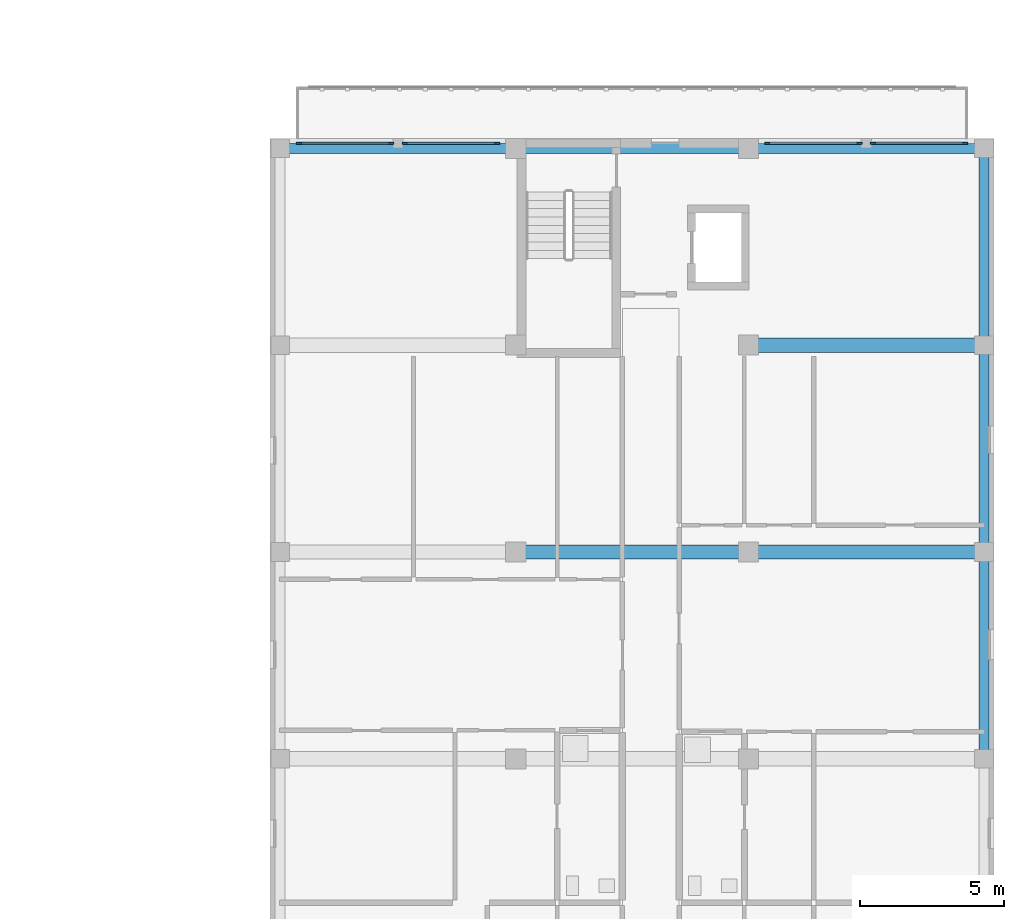
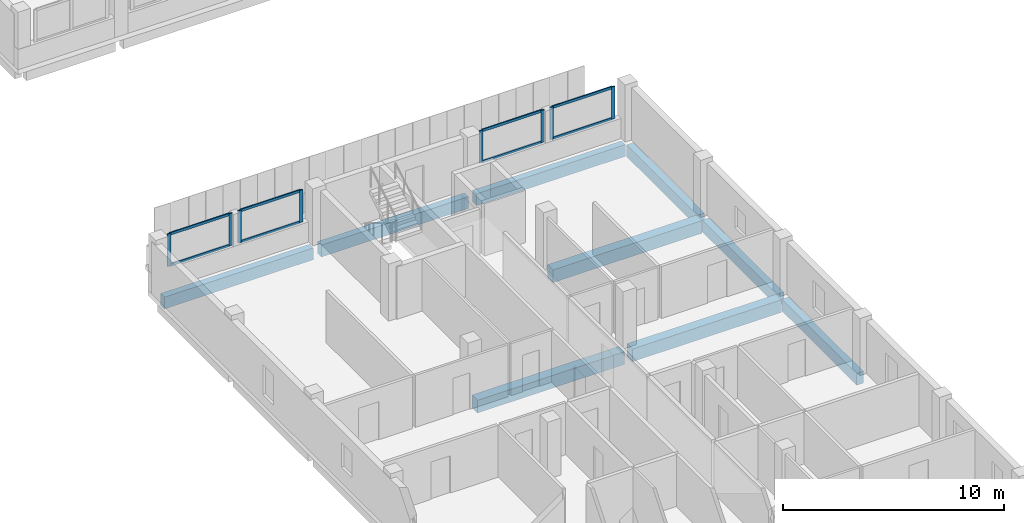
# One storey, part 15 of 51: 16 members, 9 beams, 4 elements without a shape of their own.
"""IFC4 building model written with IfcOpenShell, lengths in metres."""

from ifc_helpers import new_model, si_unit, derived_unit, direction, frame, origin, origin_2d, place, context, subcontext, project, spatial, rectangle, extrude, material, layer, layer_set, material_profile, profile_set, type_object, element, aggregate, save


model = new_model("IFC4")

# Units and contexts
model_context = context("Model", 3, precision=1e-05, world=origin(), true_north=direction((0.0, 1.0)))
body_context = subcontext(model_context, "Body", "Model", "MODEL_VIEW")
ifc_project = project(units=[si_unit("LENGTHUNIT", "METRE"), si_unit("AREAUNIT", "SQUARE_METRE"), si_unit("VOLUMEUNIT", "CUBIC_METRE"), si_unit("PLANEANGLEUNIT", "RADIAN"), si_unit("MASSUNIT", "GRAM", prefix="KILO"), derived_unit("THERMALTRANSMITTANCEUNIT", [(si_unit("MASSUNIT", "GRAM", prefix="KILO"), 1), (si_unit("TIMEUNIT", "SECOND"), -3), (si_unit("THERMODYNAMICTEMPERATUREUNIT", "KELVIN"), -1)])], contexts=[model_context])

# Site, building, storey
site_placement = place(None, origin())
site = spatial("IfcSite", under=ifc_project, at=site_placement, CompositionType="ELEMENT")
building_placement = place(site_placement, origin())
building = spatial("IfcBuilding", under=site, at=building_placement, Name="Ochrekiln Boulevard Commons", CompositionType="ELEMENT")
storey_placement = place(building_placement, frame((0.0, 0.0, 15.22509765625)))
storey = spatial("IfcBuildingStorey", under=building, at=storey_placement, Name="L04", CompositionType="ELEMENT", Elevation=15.22509765625)

# Beams
ifc_material_1 = material(Name="Concrete C40/50", Category="concrete")
ifc_material_profile_1 = material_profile(ifc_material_1, rectangle(XDim=0.5, YDim=0.699951171875, at=origin_2d()), Name="RC-BM-500x700")
ifc_profile_set_1 = profile_set([ifc_material_profile_1], Name="Concrete C40/50")
beam_type_1 = type_object("IfcBeamType", Name="BM-RC-500x700", PredefinedType="BEAM", material=ifc_profile_set_1)
beam_1_placement = place(storey_placement, frame((156.360107421875, 36.0, -0.610107421875), z_axis=(1.0, 0.0, 0.0), x_axis=(0.0, 1.0, 0.0)))
element("IfcBeam", 1, at=beam_1_placement, inside=storey, type_object=beam_type_1, Name="Block C L04 Beam B-5070 X16", PredefinedType="BEAM", context=body_context, shape_type="SweptSolid", body=[
    extrude(rectangle(XDim=0.5, YDim=0.699951171875, at=origin_2d()), origin(), (0.0, 0.0, 1.0), 7.679931640625),
])
for number, where, z_axis, x_axis, name in (
    (2, (164.4599609375, 36.0, -0.610107421875), (1.0, 0.0, 0.0), (0.0, 1.0, 0.0), "Block C L04 Beam B-5070 X17"),
    (3, (164.4599609375, 43.199951171875, -0.610107421875), (1.0, 0.0, 0.0), (0.0, 1.0, 0.0), "Block C L04 Beam B-5070 X19"),
):
    element("IfcBeam", number, at=place(storey_placement, frame(where, z_axis=z_axis, x_axis=x_axis)), inside=storey, type_object=beam_type_1, Name=name, PredefinedType="BEAM", context=body_context, shape_type="SweptSolid", body=[
        extrude(rectangle(XDim=0.5, YDim=0.699951171875, at=origin_2d()), origin(), (0.0, 0.0, 1.0), 7.780029296875),
    ])

# Curtain wall, members
ifc_material_2 = material(Name="Bronze-anodized extruded aluminium 6063-T6", Category="aluminium")
ifc_layer = layer(ifc_material_2, 0.18408203125)
ifc_layer_set = layer_set([ifc_layer], Name="Bronze-anodized extruded aluminium 6063-T6")
curtain_wall_type = type_object("IfcCurtainWallType", Name="CW-GABLE-B", PredefinedType="USERDEFINED", material=ifc_layer_set)
curtain_wall_1_placement = place(storey_placement, origin())
curtain_wall_1 = element("IfcCurtainWall", 4, at=curtain_wall_1_placement, inside=storey, type_object=curtain_wall_type, Name="Block C L04 Courtyard Glazed Gable Curtain Wall 1", ObjectType="GLAZED CURTAIN WALL", PredefinedType="USERDEFINED")
ifc_material_profile_2 = material_profile(ifc_material_2, rectangle(XDim=0.06494140625, YDim=0.179931640625, at=origin_2d()), Name="ALU-MUL-65x180")
ifc_profile_set_2 = profile_set([ifc_material_profile_2], Name="Bronze-anodized extruded aluminium 6063-T6")
member_type_1 = type_object("IfcMemberType", Name="CWM-65x180", PredefinedType="MULLION", material=ifc_profile_set_2)
member_1_placement = place(storey_placement, frame((148.6025390625, 50.235107421875, 1.10986328125), z_axis=(0.0, 0.0, 1.0), x_axis=(0.0, 1.0, 0.0)))
member_1 = element("IfcMember", 5, at=member_1_placement, type_object=member_type_1, Name="CW-02 mullion 1", PredefinedType="MULLION", context=body_context, shape_type="SweptSolid", body=[
    extrude(rectangle(XDim=0.06494140625, YDim=0.179931640625, at=origin_2d()), origin(), (0.0, 0.0, 1.0), 1.780029296875),
])
member_2_placement = place(storey_placement, frame((151.8173828125, 50.235107421875, 1.10986328125), z_axis=(0.0, 0.0, 1.0), x_axis=(0.0, 1.0, 0.0)))
member_2 = element("IfcMember", 6, at=member_2_placement, type_object=member_type_1, Name="CW-02 mullion 2", PredefinedType="MULLION", context=body_context, shape_type="SweptSolid", body=[
    extrude(rectangle(XDim=0.06494140625, YDim=0.179931640625, at=origin_2d()), origin(), (0.0, 0.0, 1.0), 1.780029296875),
])

curtain_wall_2_placement = place(storey_placement, origin())
curtain_wall_2 = element("IfcCurtainWall", 7, at=curtain_wall_2_placement, inside=storey, type_object=curtain_wall_type, Name="Block C L04 Courtyard Glazed Gable Curtain Wall 2", ObjectType="GLAZED CURTAIN WALL", PredefinedType="USERDEFINED")
member_3_placement = place(storey_placement, frame((152.282470703125, 50.235107421875, 1.10986328125), z_axis=(0.0, 0.0, 1.0), x_axis=(0.0, 1.0, 0.0)))
member_3 = element("IfcMember", 8, at=member_3_placement, type_object=member_type_1, Name="CW-02 mullion 1", PredefinedType="MULLION", context=body_context, shape_type="SweptSolid", body=[
    extrude(rectangle(XDim=0.06494140625, YDim=0.179931640625, at=origin_2d()), origin(), (0.0, 0.0, 1.0), 1.780029296875),
])
member_4_placement = place(storey_placement, frame((155.49755859375, 50.235107421875, 1.10986328125), z_axis=(0.0, 0.0, 1.0), x_axis=(0.0, 1.0, 0.0)))
member_4 = element("IfcMember", 9, at=member_4_placement, type_object=member_type_1, Name="CW-02 mullion 2", PredefinedType="MULLION", context=body_context, shape_type="SweptSolid", body=[
    extrude(rectangle(XDim=0.06494140625, YDim=0.179931640625, at=origin_2d()), origin(), (0.0, 0.0, 1.0), 1.780029296875),
])

curtain_wall_3_placement = place(storey_placement, origin())
curtain_wall_3 = element("IfcCurtainWall", 10, at=curtain_wall_3_placement, inside=storey, type_object=curtain_wall_type, Name="Block C L04 Courtyard Glazed Gable Curtain Wall 3", ObjectType="GLAZED CURTAIN WALL", PredefinedType="USERDEFINED")
member_5_placement = place(storey_placement, frame((164.902587890625, 50.235107421875, 1.10986328125), z_axis=(0.0, 0.0, 1.0), x_axis=(0.0, 1.0, 0.0)))
member_5 = element("IfcMember", 11, at=member_5_placement, type_object=member_type_1, Name="CW-02 mullion 1", PredefinedType="MULLION", context=body_context, shape_type="SweptSolid", body=[
    extrude(rectangle(XDim=0.06494140625, YDim=0.179931640625, at=origin_2d()), origin(), (0.0, 0.0, 1.0), 1.780029296875),
])
member_6_placement = place(storey_placement, frame((168.117431640625, 50.235107421875, 1.10986328125), z_axis=(0.0, 0.0, 1.0), x_axis=(0.0, 1.0, 0.0)))
member_6 = element("IfcMember", 12, at=member_6_placement, type_object=member_type_1, Name="CW-02 mullion 2", PredefinedType="MULLION", context=body_context, shape_type="SweptSolid", body=[
    extrude(rectangle(XDim=0.06494140625, YDim=0.179931640625, at=origin_2d()), origin(), (0.0, 0.0, 1.0), 1.780029296875),
])

curtain_wall_4_placement = place(storey_placement, origin())
curtain_wall_4 = element("IfcCurtainWall", 13, at=curtain_wall_4_placement, inside=storey, type_object=curtain_wall_type, Name="Block C L04 Courtyard Glazed Gable Curtain Wall 4", ObjectType="GLAZED CURTAIN WALL", PredefinedType="USERDEFINED")
member_7_placement = place(storey_placement, frame((168.58251953125, 50.235107421875, 1.10986328125), z_axis=(0.0, 0.0, 1.0), x_axis=(0.0, 1.0, 0.0)))
member_7 = element("IfcMember", 14, at=member_7_placement, type_object=member_type_1, Name="CW-02 mullion 1", PredefinedType="MULLION", context=body_context, shape_type="SweptSolid", body=[
    extrude(rectangle(XDim=0.06494140625, YDim=0.179931640625, at=origin_2d()), origin(), (0.0, 0.0, 1.0), 1.780029296875),
])
member_8_placement = place(storey_placement, frame((171.797607421875, 50.235107421875, 1.10986328125), z_axis=(0.0, 0.0, 1.0), x_axis=(0.0, 1.0, 0.0)))
member_8 = element("IfcMember", 15, at=member_8_placement, type_object=member_type_1, Name="CW-02 mullion 2", PredefinedType="MULLION", context=body_context, shape_type="SweptSolid", body=[
    extrude(rectangle(XDim=0.06494140625, YDim=0.179931640625, at=origin_2d()), origin(), (0.0, 0.0, 1.0), 1.780029296875),
])

# Member
ifc_material_profile_3 = material_profile(ifc_material_2, rectangle(XDim=0.06494140625, YDim=0.139892578125, at=origin_2d()), Name="ALU-TRN-65x140")
ifc_profile_set_3 = profile_set([ifc_material_profile_3], Name="Bronze-anodized extruded aluminium 6063-T6")
member_type_2 = type_object("IfcMemberType", Name="CWT-65x140", PredefinedType="USERDEFINED", material=ifc_profile_set_3)
member_9_placement = place(storey_placement, frame((148.635009765625, 50.235107421875, 1.142333984375), z_axis=(1.0, 0.0, 0.0), x_axis=(0.0, 1.0, 0.0)))
member_9 = element("IfcMember", 16, at=member_9_placement, type_object=member_type_2, Name="CW-02 transom 1.1", ObjectType="TRANSOM", PredefinedType="USERDEFINED", context=body_context, shape_type="SweptSolid", body=[
    extrude(rectangle(XDim=0.06494140625, YDim=0.139892578125, at=origin_2d()), origin(), (0.0, 0.0, 1.0), 3.14990234375),
])

member_10_placement = place(storey_placement, frame((148.635009765625, 50.235107421875, 2.857421875), z_axis=(1.0, 0.0, 0.0), x_axis=(0.0, 1.0, 0.0)))
member_10 = element("IfcMember", 17, at=member_10_placement, type_object=member_type_2, Name="CW-02 transom 1.2", ObjectType="TRANSOM", PredefinedType="USERDEFINED", context=body_context, shape_type="SweptSolid", body=[
    extrude(rectangle(XDim=0.06494140625, YDim=0.139892578125, at=origin_2d()), origin(), (0.0, 0.0, 1.0), 3.14990234375),
])

aggregate(curtain_wall_1, [member_1, member_2, member_9, member_10])

member_11_placement = place(storey_placement, frame((152.31494140625, 50.235107421875, 1.142333984375), z_axis=(1.0, 0.0, 0.0), x_axis=(0.0, 1.0, 0.0)))
member_11 = element("IfcMember", 18, at=member_11_placement, type_object=member_type_2, Name="CW-02 transom 1.1", ObjectType="TRANSOM", PredefinedType="USERDEFINED", context=body_context, shape_type="SweptSolid", body=[
    extrude(rectangle(XDim=0.06494140625, YDim=0.139892578125, at=origin_2d()), origin(), (0.0, 0.0, 1.0), 3.150146484375),
])

member_12_placement = place(storey_placement, frame((152.31494140625, 50.235107421875, 2.857421875), z_axis=(1.0, 0.0, 0.0), x_axis=(0.0, 1.0, 0.0)))
member_12 = element("IfcMember", 19, at=member_12_placement, type_object=member_type_2, Name="CW-02 transom 1.2", ObjectType="TRANSOM", PredefinedType="USERDEFINED", context=body_context, shape_type="SweptSolid", body=[
    extrude(rectangle(XDim=0.06494140625, YDim=0.139892578125, at=origin_2d()), origin(), (0.0, 0.0, 1.0), 3.150146484375),
])

aggregate(curtain_wall_2, [member_3, member_4, member_11, member_12])

member_13_placement = place(storey_placement, frame((164.93505859375, 50.235107421875, 1.142333984375), z_axis=(1.0, 0.0, 0.0), x_axis=(0.0, 1.0, 0.0)))
member_13 = element("IfcMember", 20, at=member_13_placement, type_object=member_type_2, Name="CW-02 transom 1.1", ObjectType="TRANSOM", PredefinedType="USERDEFINED", context=body_context, shape_type="SweptSolid", body=[
    extrude(rectangle(XDim=0.06494140625, YDim=0.139892578125, at=origin_2d()), origin(), (0.0, 0.0, 1.0), 3.14990234375),
])

member_14_placement = place(storey_placement, frame((164.93505859375, 50.235107421875, 2.857421875), z_axis=(1.0, 0.0, 0.0), x_axis=(0.0, 1.0, 0.0)))
member_14 = element("IfcMember", 21, at=member_14_placement, type_object=member_type_2, Name="CW-02 transom 1.2", ObjectType="TRANSOM", PredefinedType="USERDEFINED", context=body_context, shape_type="SweptSolid", body=[
    extrude(rectangle(XDim=0.06494140625, YDim=0.139892578125, at=origin_2d()), origin(), (0.0, 0.0, 1.0), 3.14990234375),
])

aggregate(curtain_wall_3, [member_5, member_6, member_13, member_14])

member_15_placement = place(storey_placement, frame((168.614990234375, 50.235107421875, 1.142333984375), z_axis=(1.0, 0.0, 0.0), x_axis=(0.0, 1.0, 0.0)))
member_15 = element("IfcMember", 22, at=member_15_placement, type_object=member_type_2, Name="CW-02 transom 1.1", ObjectType="TRANSOM", PredefinedType="USERDEFINED", context=body_context, shape_type="SweptSolid", body=[
    extrude(rectangle(XDim=0.06494140625, YDim=0.139892578125, at=origin_2d()), origin(), (0.0, 0.0, 1.0), 3.14990234375),
])

member_16_placement = place(storey_placement, frame((168.614990234375, 50.235107421875, 2.857421875), z_axis=(1.0, 0.0, 0.0), x_axis=(0.0, 1.0, 0.0)))
member_16 = element("IfcMember", 23, at=member_16_placement, type_object=member_type_2, Name="CW-02 transom 1.2", ObjectType="TRANSOM", PredefinedType="USERDEFINED", context=body_context, shape_type="SweptSolid", body=[
    extrude(rectangle(XDim=0.06494140625, YDim=0.139892578125, at=origin_2d()), origin(), (0.0, 0.0, 1.0), 3.14990234375),
])

aggregate(curtain_wall_4, [member_7, member_8, member_15, member_16])

# Beams
ifc_material_profile_4 = material_profile(ifc_material_1, rectangle(XDim=0.35009765625, YDim=0.64990234375, at=origin_2d()), Name="RC-SPN-350x650")
ifc_profile_set_4 = profile_set([ifc_material_profile_4], Name="Concrete C40/50")
beam_type_2 = type_object("IfcBeamType", Name="SPN-RC-350x650", PredefinedType="SPANDREL", material=ifc_profile_set_4)
beam_2_placement = place(storey_placement, frame((148.159912109375, 50.050048828125, -0.585205078125), z_axis=(1.0, 0.0, 0.0), x_axis=(0.0, 1.0, 0.0)))
element("IfcBeam", 24, at=beam_2_placement, inside=storey, type_object=beam_type_2, Name="Block C L04 Beam SP-3565 X20", PredefinedType="SPANDREL", context=body_context, shape_type="SweptSolid", body=[
    extrude(rectangle(XDim=0.35009765625, YDim=0.64990234375, at=origin_2d()), origin(), (0.0, 0.0, 1.0), 7.780029296875),
])
beam_3_placement = place(storey_placement, frame((156.360107421875, 50.050048828125, -0.585205078125), z_axis=(1.0, 0.0, 0.0), x_axis=(0.0, 1.0, 0.0)))
element("IfcBeam", 25, at=beam_3_placement, inside=storey, type_object=beam_type_2, Name="Block C L04 Beam SP-3565 X21", PredefinedType="SPANDREL", context=body_context, shape_type="SweptSolid", body=[
    extrude(rectangle(XDim=0.35009765625, YDim=0.64990234375, at=origin_2d()), origin(), (0.0, 0.0, 1.0), 7.679931640625),
])
beam_4_placement = place(storey_placement, frame((164.4599609375, 50.050048828125, -0.585205078125), z_axis=(1.0, 0.0, 0.0), x_axis=(0.0, 1.0, 0.0)))
element("IfcBeam", 26, at=beam_4_placement, inside=storey, type_object=beam_type_2, Name="Block C L04 Beam SP-3565 X22", PredefinedType="SPANDREL", context=body_context, shape_type="SweptSolid", body=[
    extrude(rectangle(XDim=0.35009765625, YDim=0.64990234375, at=origin_2d()), origin(), (0.0, 0.0, 1.0), 7.780029296875),
])
for number, where, z_axis, x_axis, name in (
    (27, (172.449951171875, 29.010009765625, -0.585205078125), (0.0, 1.0, 0.0), (-1.0, 0.0, 0.0), "Block C L04 Beam SP-3565 Y34"),
    (28, (172.449951171875, 36.2099609375, -0.585205078125), (0.0, 1.0, 0.0), (-1.0, 0.0, 0.0), "Block C L04 Beam SP-3565 Y35"),
):
    element("IfcBeam", number, at=place(storey_placement, frame(where, z_axis=z_axis, x_axis=x_axis)), inside=storey, type_object=beam_type_2, Name=name, PredefinedType="SPANDREL", context=body_context, shape_type="SweptSolid", body=[
        extrude(rectangle(XDim=0.35009765625, YDim=0.64990234375, at=origin_2d()), origin(), (0.0, 0.0, 1.0), 6.780029296875),
    ])
beam_5_placement = place(storey_placement, frame((172.449951171875, 43.409912109375, -0.585205078125), z_axis=(0.0, 1.0, 0.0), x_axis=(-1.0, 0.0, 0.0)))
element("IfcBeam", 29, at=beam_5_placement, inside=storey, type_object=beam_type_2, Name="Block C L04 Beam SP-3565 Y36", PredefinedType="SPANDREL", context=body_context, shape_type="SweptSolid", body=[
    extrude(rectangle(XDim=0.35009765625, YDim=0.64990234375, at=origin_2d()), origin(), (0.0, 0.0, 1.0), 6.43017578125),
])

save(model, "model.ifc")
